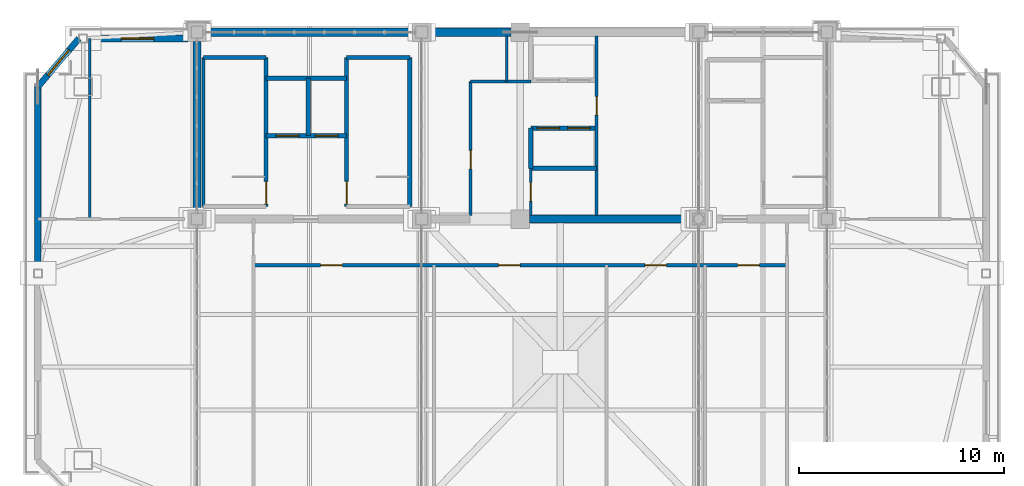
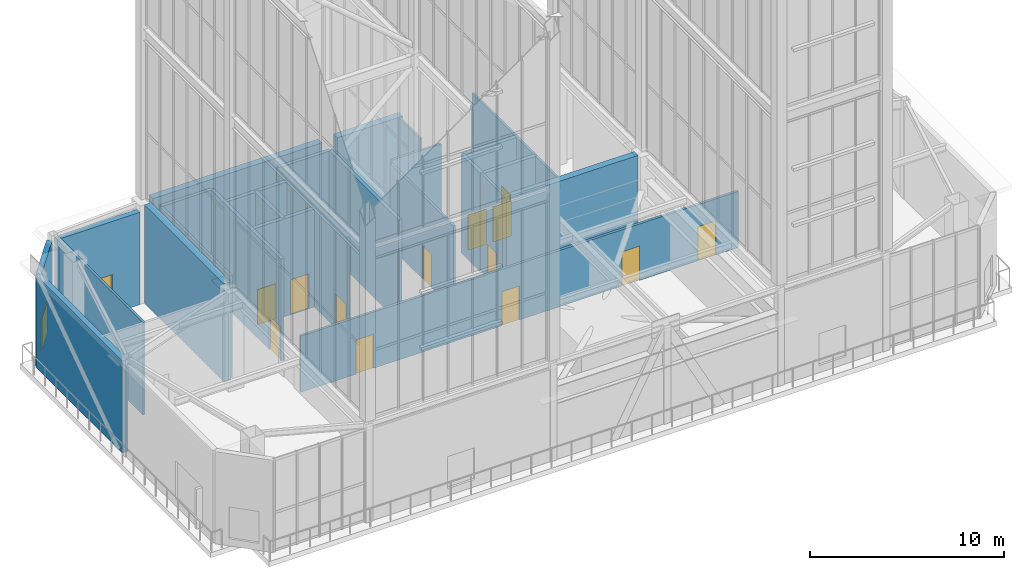
# One storey, part 131 of 135: 26 walls, 13 doors, 2 windows, 15 openings.
"""IFC4 building model written with IfcOpenShell, lengths in metres."""

from ifc_helpers import new_model, si_unit, direction, frame, frame_2d, origin, place, context, subcontext, project, spatial, rectangle, extrude, source, transform, mapped, material, layer, layer_set, type_object, element, fill, save


model = new_model("IFC4")

# Units and contexts
model_context = context("Model", 3, precision=1e-05, world=origin(), true_north=direction((0.0, 1.0)))
body_context = subcontext(model_context, "Body", "Model", "MODEL_VIEW")
ifc_project = project(units=[si_unit("LENGTHUNIT", "METRE"), si_unit("AREAUNIT", "SQUARE_METRE"), si_unit("VOLUMEUNIT", "CUBIC_METRE"), si_unit("PLANEANGLEUNIT", "RADIAN"), si_unit("MASSUNIT", "GRAM", prefix="KILO")], contexts=[model_context])

# Site, building, storey
site_placement = place(None, origin())
site = spatial("IfcSite", under=ifc_project, at=site_placement, CompositionType="ELEMENT")
building_placement = place(site_placement, origin())
building = spatial("IfcBuilding", under=site, at=building_placement, Name="Giltprow Tower", CompositionType="ELEMENT")
storey_placement = place(building_placement, frame((0.0, 0.0, 352.699951171875)))
storey = spatial("IfcBuildingStorey", under=building, at=storey_placement, Name="L92", CompositionType="ELEMENT", Elevation=352.699951171875)

# Wall, opening, window
ifc_material_1 = material(Name="Precast concrete C40", Category="concrete")
ifc_layer_1 = layer(ifc_material_1, 0.300048828125, Name="Precast concrete C40")
ifc_layer_set_1 = layer_set([ifc_layer_1], Name="Precast concrete C40")
wall_type_1 = type_object("IfcWallType", Name="EW-NOTCH-CHAMFER-300", PredefinedType="SOLIDWALL", material=ifc_layer_set_1)
wall_1_placement = place(storey_placement, frame((14.10009765625, 46.25, 0.0), z_axis=(0.0, 0.0, 1.0), x_axis=(-0.648103010114, -0.761552682538, 0.0)))
wall_1 = element("IfcWall", 1, at=wall_1_placement, inside=storey, type_object=wall_type_1, Name="L92 Corner Notch Wall NW", PredefinedType="SOLIDWALL", context=body_context, shape_type="SweptSolid", body=[
    extrude(rectangle(XDim=3.0859375, YDim=0.300048828125, at=frame_2d((1.54296875, 0.0))), origin(), (0.0, 0.0, 1.0), 5.7900390625),
])
opening_1_placement = place(wall_1_placement, frame((0.742919921875, 0.0, 0.449951171875)))
opening_1 = element("IfcOpeningElement", 2, at=opening_1_placement, cuts=wall_1, Name="Opening WN17", PredefinedType="OPENING", context=body_context, shape_type="SweptSolid", body=[
    extrude(rectangle(XDim=1.60009765625, YDim=2.0, at=frame_2d((0.800048828125, 1.0))), frame((0.0, 0.159912109375, 0.0), z_axis=(0.0, -1.0, 0.0), x_axis=(1.0, 0.0, 0.0)), (0.0, 0.0, 1.0), 0.320068359375),
])
ifc_material_2 = material(Name="Insulated glass", Category="glass")
window_type = type_object("IfcWindowType", Name="WN-COR-1600x2000", PartitioningType="SINGLE_PANEL", PredefinedType="WINDOW", material=ifc_material_2)
shared_shape_1 = source(origin(), body_context, "Body", "SweptSolid", [
    extrude(rectangle(XDim=1.60009765625, YDim=2.0, at=frame_2d((0.800048828125, 1.0))), frame((0.0, 0.030029296875, 0.0), z_axis=(0.0, -1.0, 0.0), x_axis=(1.0, 0.0, 0.0)), (0.0, 0.0, 1.0), 0.06005859375),
])
window_1_placement = place(opening_1_placement, origin())
window_1 = element("IfcWindow", 3, at=window_1_placement, inside=storey, type_object=window_type, Name="L92 Corner Notch Window NW", OverallHeight=2.0, OverallWidth=1.60009765625, PartitioningType="SINGLE_PANEL", PredefinedType="WINDOW", context=body_context, shape_type="MappedRepresentation", body=[
    mapped(shared_shape_1, transform((0.0, 0.0, 0.0), x_axis=(1.0, 0.0, 0.0), y_axis=(0.0, 1.0, 0.0), z_axis=(0.0, 0.0, 1.0), scale=1.0)),
])
fill(opening_1, window_1)

# Wall
ifc_layer_2 = layer(ifc_material_1, 0.320068359375, Name="Precast concrete C40")
ifc_layer_set_2 = layer_set([ifc_layer_2], Name="Precast concrete C40")
wall_type_2 = type_object("IfcWallType", Name="EW-TOW-STONE-320", PredefinedType="SOLIDWALL", material=ifc_layer_set_2)
wall_2_placement = place(storey_placement, frame((12.10009765625, 35.0, 0.0), z_axis=(0.0, 0.0, 1.0), x_axis=(0.0, 1.0, 0.0)))
element("IfcWall", 4, at=wall_2_placement, inside=storey, type_object=wall_type_2, Name="L92 W Wing Masonry Wall 2", PredefinedType="SOLIDWALL", context=body_context, shape_type="SweptSolid", body=[
    extrude(rectangle(XDim=8.89990234375, YDim=0.320068359375, at=frame_2d((4.449951171875, 0.0))), origin(), (0.0, 0.0, 1.0), 5.7900390625),
])

# Wall, opening, window
wall_3_placement = place(storey_placement, frame((14.5, 46.25, 0.0), z_axis=(0.0, 0.0, 1.0), x_axis=(1.0, 0.0, 0.0)))
wall_3 = element("IfcWall", 5, at=wall_3_placement, inside=storey, type_object=wall_type_2, Name="L92 North-West Wing Wall", PredefinedType="SOLIDWALL", context=body_context, shape_type="SweptSolid", body=[
    extrude(rectangle(XDim=4.89990234375, YDim=0.320068359375, at=frame_2d((2.449951171875, 0.0))), origin(), (0.0, 0.0, 1.0), 5.7900390625),
])
opening_2_placement = place(wall_3_placement, frame((1.64990234375, 0.0, 0.449951171875)))
opening_2 = element("IfcOpeningElement", 6, at=opening_2_placement, cuts=wall_3, Name="Opening WN17", PredefinedType="OPENING", context=body_context, shape_type="SweptSolid", body=[
    extrude(rectangle(XDim=1.60009765625, YDim=2.0, at=frame_2d((0.800048828125, 1.0))), frame((0.0, 0.169921875, 0.0), z_axis=(0.0, -1.0, 0.0), x_axis=(1.0, 0.0, 0.0)), (0.0, 0.0, 1.0), 0.340087890625),
])
window_2_placement = place(opening_2_placement, origin())
window_2 = element("IfcWindow", 7, at=window_2_placement, inside=storey, type_object=window_type, Name="L92 North-West Window", OverallHeight=2.0, OverallWidth=1.60009765625, PartitioningType="SINGLE_PANEL", PredefinedType="WINDOW", context=body_context, shape_type="MappedRepresentation", body=[
    mapped(shared_shape_1, transform((0.0, 0.0, 0.0), x_axis=(1.0, 0.0, 0.0), y_axis=(0.0, 1.0, 0.0), z_axis=(0.0, 0.0, 1.0), scale=1.0)),
])
fill(opening_2, window_2)

# Wall, openings, doors
ifc_material_3 = material(Name="Gypsum stud partition", Category="gypsum")
ifc_layer_3 = layer(ifc_material_3, 0.14990234375, Name="Gypsum stud partition")
ifc_layer_set_3 = layer_set([ifc_layer_3], Name="Gypsum stud partition")
wall_type_3 = type_object("IfcWallType", Name="IW-CORR-150", PredefinedType="PARTITIONING", material=ifc_layer_set_3)
wall_4_placement = place(storey_placement, frame((22.60009765625, 35.199951171875, 0.0), z_axis=(0.0, 0.0, 1.0), x_axis=(1.0, 0.0, 0.0)))
wall_4 = element("IfcWall", 8, at=wall_4_placement, inside=storey, type_object=wall_type_3, Name="L92 Observatory Promenade Wall", PredefinedType="PARTITIONING", context=body_context, shape_type="SweptSolid", body=[
    extrude(rectangle(XDim=26.0, YDim=0.14990234375, at=frame_2d((13.0, 0.0))), origin(), (0.0, 0.0, 1.0), 3.53515625),
])
opening_3_placement = place(wall_4_placement, frame((3.280029296875, 0.0, 0.0)))
opening_3 = element("IfcOpeningElement", 9, at=opening_3_placement, cuts=wall_4, Name="Opening ID31", PredefinedType="OPENING", context=body_context, shape_type="SweptSolid", body=[
    extrude(rectangle(XDim=1.050048828125, YDim=2.14990234375, at=frame_2d((0.52490234375, 1.074951171875))), frame((0.0, 0.0849609375, 0.0), z_axis=(0.0, -1.0, 0.0), x_axis=(1.0, 0.0, 0.0)), (0.0, 0.0, 1.0), 0.169921875),
])
opening_4_placement = place(wall_4_placement, frame((11.93994140625, 0.0, 0.0)))
opening_4 = element("IfcOpeningElement", 10, at=opening_4_placement, cuts=wall_4, Name="Opening ID31", PredefinedType="OPENING", context=body_context, shape_type="SweptSolid", body=[
    extrude(rectangle(XDim=1.050048828125, YDim=2.14990234375, at=frame_2d((0.52490234375, 1.074951171875))), frame((0.0, 0.0849609375, 0.0), z_axis=(0.0, -1.0, 0.0), x_axis=(1.0, 0.0, 0.0)), (0.0, 0.0, 1.0), 0.169921875),
])
opening_5_placement = place(wall_4_placement, frame((19.080078125, 0.0, 0.0)))
opening_5 = element("IfcOpeningElement", 11, at=opening_5_placement, cuts=wall_4, Name="Opening ID31", PredefinedType="OPENING", context=body_context, shape_type="SweptSolid", body=[
    extrude(rectangle(XDim=1.050048828125, YDim=2.14990234375, at=frame_2d((0.52490234375, 1.074951171875))), frame((0.0, 0.0849609375, 0.0), z_axis=(0.0, -1.0, 0.0), x_axis=(1.0, 0.0, 0.0)), (0.0, 0.0, 1.0), 0.169921875),
])
opening_6_placement = place(wall_4_placement, frame((23.60009765625, 0.0, 0.0)))
opening_6 = element("IfcOpeningElement", 12, at=opening_6_placement, cuts=wall_4, Name="Opening ID31", PredefinedType="OPENING", context=body_context, shape_type="SweptSolid", body=[
    extrude(rectangle(XDim=1.050048828125, YDim=2.14990234375, at=frame_2d((0.52490234375, 1.074951171875))), frame((0.0, 0.0849609375, 0.0), z_axis=(0.0, -1.0, 0.0), x_axis=(1.0, 0.0, 0.0)), (0.0, 0.0, 1.0), 0.169921875),
])
ifc_material_4 = material(Name="Engineered timber", Category="wood")
door_type_1 = type_object("IfcDoorType", Name="DR-SUITE-1050", OperationType="SINGLE_SWING_LEFT", PredefinedType="DOOR", material=ifc_material_4)
shared_shape_2 = source(origin(), body_context, "Body", "SweptSolid", [
    extrude(rectangle(XDim=1.050048828125, YDim=2.14990234375, at=frame_2d((0.52490234375, 1.074951171875))), frame((0.0, 0.02490234375, 0.0), z_axis=(0.0, -1.0, 0.0), x_axis=(1.0, 0.0, 0.0)), (0.0, 0.0, 1.0), 0.050048828125),
])
door_1_placement = place(opening_3_placement, origin())
door_1 = element("IfcDoor", 13, at=door_1_placement, inside=storey, type_object=door_type_1, Name="L92 Sky Observatory South Lounge Door", OperationType="SINGLE_SWING_LEFT", OverallHeight=2.14990234375, OverallWidth=1.050048828125, PredefinedType="DOOR", context=body_context, shape_type="MappedRepresentation", body=[
    mapped(shared_shape_2, transform((0.0, 0.0, 0.0), x_axis=(1.0, 0.0, 0.0), y_axis=(0.0, 1.0, 0.0), z_axis=(0.0, 0.0, 1.0), scale=1.0)),
])
fill(opening_3, door_1)
door_2_placement = place(opening_4_placement, origin())
door_2 = element("IfcDoor", 14, at=door_2_placement, inside=storey, type_object=door_type_1, Name="L92 Wind Damper Exhibition Meeting Room Door", OperationType="SINGLE_SWING_RIGHT", OverallHeight=2.14990234375, OverallWidth=1.050048828125, PredefinedType="DOOR", context=body_context, shape_type="MappedRepresentation", body=[
    mapped(shared_shape_2, transform((0.0, 0.0, 0.0), x_axis=(1.0, 0.0, 0.0), y_axis=(0.0, 1.0, 0.0), z_axis=(0.0, 0.0, 1.0), scale=1.0)),
])
fill(opening_4, door_2)
door_3_placement = place(opening_5_placement, origin())
door_3 = element("IfcDoor", 15, at=door_3_placement, inside=storey, type_object=door_type_1, Name="L92 High-Altitude Tea Kitchen Door", OperationType="SINGLE_SWING_LEFT", OverallHeight=2.14990234375, OverallWidth=1.050048828125, PredefinedType="DOOR", context=body_context, shape_type="MappedRepresentation", body=[
    mapped(shared_shape_2, transform((0.0, 0.0, 0.0), x_axis=(1.0, 0.0, 0.0), y_axis=(0.0, 1.0, 0.0), z_axis=(0.0, 0.0, 1.0), scale=1.0)),
])
fill(opening_5, door_3)
door_4_placement = place(opening_6_placement, origin())
door_4 = element("IfcDoor", 16, at=door_4_placement, inside=storey, type_object=door_type_1, Name="L92 Observatory Souvenir Shop Door", OperationType="SINGLE_SWING_RIGHT", OverallHeight=2.14990234375, OverallWidth=1.050048828125, PredefinedType="DOOR", context=body_context, shape_type="MappedRepresentation", body=[
    mapped(shared_shape_2, transform((0.0, 0.0, 0.0), x_axis=(1.0, 0.0, 0.0), y_axis=(0.0, 1.0, 0.0), z_axis=(0.0, 0.0, 1.0), scale=1.0)),
])
fill(opening_6, door_4)

ifc_material_5 = material(Name="Concrete C40", Category="concrete")
ifc_layer_4 = layer(ifc_material_5, 0.219970703125, Name="Concrete C40")
ifc_layer_set_4 = layer_set([ifc_layer_4], Name="Concrete C40")
wall_type_4 = type_object("IfcWallType", Name="IW-SHAFT-220", PredefinedType="SOLIDWALL", material=ifc_layer_set_4)
wall_5_placement = place(storey_placement, frame((23.219970703125, 41.52001953125, 0.0), z_axis=(0.0, 0.0, 1.0), x_axis=(1.0, 0.0, 0.0)))
wall_5 = element("IfcWall", 17, at=wall_5_placement, inside=storey, type_object=wall_type_4, Name="L92 FFL1 and Service Lift Front Wall", PredefinedType="SOLIDWALL", context=body_context, shape_type="SweptSolid", body=[
    extrude(rectangle(XDim=3.919921875, YDim=0.219970703125, at=frame_2d((1.9599609375, 0.0))), origin(), (0.0, 0.0, 1.0), 6.16015625),
])
opening_7_placement = place(wall_5_placement, frame((0.5, 0.0, 0.0)))
opening_7 = element("IfcOpeningElement", 18, at=opening_7_placement, cuts=wall_5, Name="Opening LD-11", PredefinedType="OPENING", context=body_context, shape_type="SweptSolid", body=[
    extrude(rectangle(XDim=1.10009765625, YDim=2.199951171875, at=frame_2d((0.550048828125, 1.10009765625))), frame((0.0, 0.119873046875, 0.0), z_axis=(0.0, -1.0, 0.0), x_axis=(1.0, 0.0, 0.0)), (0.0, 0.0, 1.0), 0.239990234375),
])
opening_8_placement = place(wall_5_placement, frame((2.39990234375, 0.0, 0.0)))
opening_8 = element("IfcOpeningElement", 19, at=opening_8_placement, cuts=wall_5, Name="Opening LD-11", PredefinedType="OPENING", context=body_context, shape_type="SweptSolid", body=[
    extrude(rectangle(XDim=1.10009765625, YDim=2.199951171875, at=frame_2d((0.550048828125, 1.10009765625))), frame((0.0, 0.119873046875, 0.0), z_axis=(0.0, -1.0, 0.0), x_axis=(1.0, 0.0, 0.0)), (0.0, 0.0, 1.0), 0.239990234375),
])
ifc_material_6 = material(Name="Stainless steel", Category="steel")
door_type_2 = type_object("IfcDoorType", Name="DR-LIFT-LD1100", OperationType="SLIDING_TO_LEFT", PredefinedType="DOOR", material=ifc_material_6)
shared_shape_3 = source(origin(), body_context, "Body", "SweptSolid", [
    extrude(rectangle(XDim=1.10009765625, YDim=2.199951171875, at=frame_2d((0.550048828125, 1.10009765625))), frame((0.0, 0.02490234375, 0.0), z_axis=(0.0, -1.0, 0.0), x_axis=(1.0, 0.0, 0.0)), (0.0, 0.0, 1.0), 0.050048828125),
])
door_5_placement = place(opening_7_placement, origin())
door_5 = element("IfcDoor", 20, at=door_5_placement, inside=storey, type_object=door_type_2, Name="L92 FFL1 Landing Door", OperationType="SLIDING_TO_LEFT", OverallHeight=2.199951171875, OverallWidth=1.10009765625, PredefinedType="DOOR", context=body_context, shape_type="MappedRepresentation", body=[
    mapped(shared_shape_3, transform((0.0, 0.0, 0.0), x_axis=(1.0, 0.0, 0.0), y_axis=(0.0, 1.0, 0.0), z_axis=(0.0, 0.0, 1.0), scale=1.0)),
])
fill(opening_7, door_5)
door_6_placement = place(opening_8_placement, origin())
door_6 = element("IfcDoor", 21, at=door_6_placement, inside=storey, type_object=door_type_2, Name="L92 SVL1 Landing Door", OperationType="SLIDING_TO_LEFT", OverallHeight=2.199951171875, OverallWidth=1.10009765625, PredefinedType="DOOR", context=body_context, shape_type="MappedRepresentation", body=[
    mapped(shared_shape_3, transform((0.0, 0.0, 0.0), x_axis=(1.0, 0.0, 0.0), y_axis=(0.0, 1.0, 0.0), z_axis=(0.0, 0.0, 1.0), scale=1.0)),
])
fill(opening_8, door_6)

# Walls
wall_6_placement = place(storey_placement, frame((25.260009765625, 41.52001953125, 0.0), z_axis=(0.0, 0.0, 1.0), x_axis=(0.0, 1.0, 0.0)))
element("IfcWall", 22, at=wall_6_placement, inside=storey, type_object=wall_type_4, Name="L92 FFL1-SVL1 Shaft Divider", PredefinedType="SOLIDWALL", context=body_context, shape_type="SweptSolid", body=[
    extrude(rectangle(XDim=2.800048828125, YDim=0.219970703125, at=frame_2d((1.39990234375, 0.0))), origin(), (0.0, 0.0, 1.0), 6.16015625),
])
wall_7_placement = place(storey_placement, frame((23.219970703125, 44.320068359375, 0.0), z_axis=(0.0, 0.0, 1.0), x_axis=(1.0, 0.0, 0.0)))
element("IfcWall", 23, at=wall_7_placement, inside=storey, type_object=wall_type_4, Name="L92 FFL1-SVL1 Back Shaft Wall", PredefinedType="SOLIDWALL", context=body_context, shape_type="SweptSolid", body=[
    extrude(rectangle(XDim=3.919921875, YDim=0.219970703125, at=frame_2d((1.9599609375, 0.0))), origin(), (0.0, 0.0, 1.0), 6.16015625),
])

# Wall, openings, doors
wall_8_placement = place(storey_placement, frame((36.1201171875, 41.8798828125, 0.0), z_axis=(0.0, 0.0, 1.0), x_axis=(1.0, 0.0, 0.0)))
wall_8 = element("IfcWall", 24, at=wall_8_placement, inside=storey, type_object=wall_type_4, Name="L92 High-Rise Lift Shaft Front Wall S", PredefinedType="SOLIDWALL", context=body_context, shape_type="SweptSolid", body=[
    extrude(rectangle(XDim=3.199951171875, YDim=0.219970703125, at=frame_2d((1.60009765625, 0.0))), origin(), (0.0, 0.0, 1.0), 6.16015625),
])
opening_9_placement = place(wall_8_placement, frame((0.300048828125, 0.0, 0.0)))
opening_9 = element("IfcOpeningElement", 25, at=opening_9_placement, cuts=wall_8, Name="Opening LD-11", PredefinedType="OPENING", context=body_context, shape_type="SweptSolid", body=[
    extrude(rectangle(XDim=1.10009765625, YDim=2.199951171875, at=frame_2d((0.550048828125, 1.10009765625))), frame((0.0, 0.119873046875, 0.0), z_axis=(0.0, -1.0, 0.0), x_axis=(1.0, 0.0, 0.0)), (0.0, 0.0, 1.0), 0.239990234375),
])
opening_10_placement = place(wall_8_placement, frame((1.7900390625, 0.0, 0.0)))
opening_10 = element("IfcOpeningElement", 26, at=opening_10_placement, cuts=wall_8, Name="Opening LD-11", PredefinedType="OPENING", context=body_context, shape_type="SweptSolid", body=[
    extrude(rectangle(XDim=1.10009765625, YDim=2.199951171875, at=frame_2d((0.550048828125, 1.10009765625))), frame((0.0, 0.119873046875, 0.0), z_axis=(0.0, -1.0, 0.0), x_axis=(1.0, 0.0, 0.0)), (0.0, 0.0, 1.0), 0.239990234375),
])
door_7_placement = place(opening_9_placement, origin())
door_7 = element("IfcDoor", 27, at=door_7_placement, inside=storey, type_object=door_type_2, Name="L92 PL-H3 Landing Door", OperationType="SLIDING_TO_LEFT", OverallHeight=2.199951171875, OverallWidth=1.10009765625, PredefinedType="DOOR", context=body_context, shape_type="MappedRepresentation", body=[
    mapped(shared_shape_3, transform((0.0, 0.0, 0.0), x_axis=(1.0, 0.0, 0.0), y_axis=(0.0, 1.0, 0.0), z_axis=(0.0, 0.0, 1.0), scale=1.0)),
])
fill(opening_9, door_7)
door_8_placement = place(opening_10_placement, origin())
door_8 = element("IfcDoor", 28, at=door_8_placement, inside=storey, type_object=door_type_2, Name="L92 PL-H4 Landing Door", OperationType="SLIDING_TO_LEFT", OverallHeight=2.199951171875, OverallWidth=1.10009765625, PredefinedType="DOOR", context=body_context, shape_type="MappedRepresentation", body=[
    mapped(shared_shape_3, transform((0.0, 0.0, 0.0), x_axis=(1.0, 0.0, 0.0), y_axis=(0.0, 1.0, 0.0), z_axis=(0.0, 0.0, 1.0), scale=1.0)),
])
fill(opening_10, door_8)

# Walls
wall_9_placement = place(storey_placement, frame((36.1201171875, 39.919921875, 0.0), z_axis=(0.0, 0.0, 1.0), x_axis=(1.0, 0.0, 0.0)))
element("IfcWall", 29, at=wall_9_placement, inside=storey, type_object=wall_type_4, Name="L92 High-Rise South Lift Back Wall", PredefinedType="SOLIDWALL", context=body_context, shape_type="SweptSolid", body=[
    extrude(rectangle(XDim=3.199951171875, YDim=0.219970703125, at=frame_2d((1.60009765625, 0.0))), origin(), (0.0, 0.0, 1.0), 6.16015625),
])
wall_10_placement = place(storey_placement, frame((36.1201171875, 39.919921875, 0.0), z_axis=(0.0, 0.0, 1.0), x_axis=(0.0, 1.0, 0.0)))
element("IfcWall", 30, at=wall_10_placement, inside=storey, type_object=wall_type_4, Name="L92 High-Rise South Lift West Closure", PredefinedType="SOLIDWALL", context=body_context, shape_type="SweptSolid", body=[
    extrude(rectangle(XDim=1.9599609375, YDim=0.219970703125, at=frame_2d((0.97998046875, 0.0))), origin(), (0.0, 0.0, 1.0), 6.16015625),
])
ifc_material_7 = material(Name="Concrete C45", Category="concrete")
ifc_layer_5 = layer(ifc_material_7, 0.139892578125, Name="Concrete C45")
ifc_layer_set_5 = layer_set([ifc_layer_5], Name="Concrete C45")
wall_type_5 = type_object("IfcWallType", Name="IW-STAIR-140", PredefinedType="SOLIDWALL", material=ifc_layer_set_5)
wall_11_placement = place(storey_placement, frame((20.169921875, 38.070068359375, 0.0), z_axis=(0.0, 0.0, 1.0), x_axis=(0.0, 1.0, 0.0)))
element("IfcWall", 31, at=wall_11_placement, inside=storey, type_object=wall_type_5, Name="L92 Stair ST-1 West Bearing Wall", PredefinedType="SOLIDWALL", context=body_context, shape_type="SweptSolid", body=[
    extrude(rectangle(XDim=7.25, YDim=0.139892578125, at=frame_2d((3.625, 0.0))), origin(), (0.0, 0.0, 1.0), 6.400146484375),
])

# Wall, opening, door
ifc_layer_6 = layer(ifc_material_5, 0.199951171875, Name="Concrete C40")
ifc_layer_set_6 = layer_set([ifc_layer_6], Name="Concrete C40")
wall_type_6 = type_object("IfcWallType", Name="IW-STAIR-200", PredefinedType="SOLIDWALL", material=ifc_layer_set_6)
wall_12_placement = place(storey_placement, frame((23.219970703125, 38.070068359375, 0.0), z_axis=(0.0, 0.0, 1.0), x_axis=(0.0, 1.0, 0.0)))
wall_12 = element("IfcWall", 32, at=wall_12_placement, inside=storey, type_object=wall_type_6, Name="L92 Stair ST-1 East Bearing Wall", PredefinedType="SOLIDWALL", context=body_context, shape_type="SweptSolid", body=[
    extrude(rectangle(XDim=7.25, YDim=0.199951171875, at=frame_2d((3.625, 0.0))), origin(), (0.0, 0.0, 1.0), 6.400146484375),
])
opening_11_placement = place(wall_12_placement, frame((0.110107421875, 0.0, 0.0)))
opening_11 = element("IfcOpeningElement", 33, at=opening_11_placement, cuts=wall_12, Name="Opening ID33", PredefinedType="OPENING", context=body_context, shape_type="SweptSolid", body=[
    extrude(rectangle(XDim=1.10009765625, YDim=2.14990234375, at=frame_2d((0.550048828125, 1.074951171875))), frame((0.0, 0.10986328125, 0.0), z_axis=(0.0, -1.0, 0.0), x_axis=(1.0, 0.0, 0.0)), (0.0, 0.0, 1.0), 0.219970703125),
])
ifc_material_8 = material(Name="Steel fire leaf", Category="steel")
door_type_3 = type_object("IfcDoorType", Name="DR-STAIR-1100", OperationType="SINGLE_SWING_LEFT", PredefinedType="DOOR", material=ifc_material_8)
shared_shape_4 = source(origin(), body_context, "Body", "SweptSolid", [
    extrude(rectangle(XDim=1.10009765625, YDim=2.14990234375, at=frame_2d((0.550048828125, 1.074951171875))), frame((0.0, 0.02490234375, 0.0), z_axis=(0.0, -1.0, 0.0), x_axis=(1.0, 0.0, 0.0)), (0.0, 0.0, 1.0), 0.050048828125),
])
door_9_placement = place(opening_11_placement, origin())
door_9 = element("IfcDoor", 34, at=door_9_placement, inside=storey, type_object=door_type_3, Name="L92 Stair ST-1 Fire Door", OperationType="SINGLE_SWING_LEFT", OverallHeight=2.14990234375, OverallWidth=1.10009765625, PredefinedType="DOOR", context=body_context, shape_type="MappedRepresentation", body=[
    mapped(shared_shape_4, transform((0.0, 0.0, 0.0), x_axis=(1.0, 0.0, 0.0), y_axis=(0.0, 1.0, 0.0), z_axis=(0.0, 0.0, 1.0), scale=1.0)),
])
fill(opening_11, door_9)

# Wall
wall_13_placement = place(storey_placement, frame((20.169921875, 45.320068359375, 0.0), z_axis=(0.0, 0.0, 1.0), x_axis=(1.0, 0.0, 0.0)))
element("IfcWall", 35, at=wall_13_placement, inside=storey, type_object=wall_type_6, Name="L92 Stair ST-1 North Bearing Wall", PredefinedType="SOLIDWALL", context=body_context, shape_type="SweptSolid", body=[
    extrude(rectangle(XDim=3.050048828125, YDim=0.199951171875, at=frame_2d((1.52490234375, 0.0))), origin(), (0.0, 0.0, 1.0), 6.400146484375),
])

# Wall, opening, door
wall_14_placement = place(storey_placement, frame((27.139892578125, 38.070068359375, 0.0), z_axis=(0.0, 0.0, 1.0), x_axis=(0.0, 1.0, 0.0)))
wall_14 = element("IfcWall", 36, at=wall_14_placement, inside=storey, type_object=wall_type_6, Name="L92 Stair ST-2 West Bearing Wall", PredefinedType="SOLIDWALL", context=body_context, shape_type="SweptSolid", body=[
    extrude(rectangle(XDim=7.25, YDim=0.199951171875, at=frame_2d((3.625, 0.0))), origin(), (0.0, 0.0, 1.0), 6.400146484375),
])
opening_12_placement = place(wall_14_placement, frame((0.110107421875, 0.0, 0.0)))
opening_12 = element("IfcOpeningElement", 37, at=opening_12_placement, cuts=wall_14, Name="Opening ID33", PredefinedType="OPENING", context=body_context, shape_type="SweptSolid", body=[
    extrude(rectangle(XDim=1.10009765625, YDim=2.14990234375, at=frame_2d((0.550048828125, 1.074951171875))), frame((0.0, 0.10986328125, 0.0), z_axis=(0.0, -1.0, 0.0), x_axis=(1.0, 0.0, 0.0)), (0.0, 0.0, 1.0), 0.219970703125),
])
door_10_placement = place(opening_12_placement, origin())
door_10 = element("IfcDoor", 38, at=door_10_placement, inside=storey, type_object=door_type_3, Name="L92 Stair ST-2 Fire Door", OperationType="SINGLE_SWING_RIGHT", OverallHeight=2.14990234375, OverallWidth=1.10009765625, PredefinedType="DOOR", context=body_context, shape_type="MappedRepresentation", body=[
    mapped(shared_shape_4, transform((0.0, 0.0, 0.0), x_axis=(1.0, 0.0, 0.0), y_axis=(0.0, 1.0, 0.0), z_axis=(0.0, 0.0, 1.0), scale=1.0)),
])
fill(opening_12, door_10)

# Walls
wall_15_placement = place(storey_placement, frame((30.219970703125, 38.070068359375, 0.0), z_axis=(0.0, 0.0, 1.0), x_axis=(0.0, 1.0, 0.0)))
element("IfcWall", 39, at=wall_15_placement, inside=storey, type_object=wall_type_6, Name="L92 Stair ST-2 East Bearing Wall", PredefinedType="SOLIDWALL", context=body_context, shape_type="SweptSolid", body=[
    extrude(rectangle(XDim=7.25, YDim=0.199951171875, at=frame_2d((3.625, 0.0))), origin(), (0.0, 0.0, 1.0), 6.400146484375),
])
wall_16_placement = place(storey_placement, frame((27.139892578125, 45.320068359375, 0.0), z_axis=(0.0, 0.0, 1.0), x_axis=(1.0, 0.0, 0.0)))
element("IfcWall", 40, at=wall_16_placement, inside=storey, type_object=wall_type_6, Name="L92 Stair ST-2 North Bearing Wall", PredefinedType="SOLIDWALL", context=body_context, shape_type="SweptSolid", body=[
    extrude(rectangle(XDim=3.080078125, YDim=0.199951171875, at=frame_2d((1.5400390625, 0.0))), origin(), (0.0, 0.0, 1.0), 6.400146484375),
])

# Wall, opening, door
ifc_material_9 = material(Name="Concrete C30", Category="concrete")
ifc_layer_7 = layer(ifc_material_9, 0.1298828125, Name="Concrete C30")
ifc_layer_set_7 = layer_set([ifc_layer_7], Name="Concrete C30")
wall_type_7 = type_object("IfcWallType", Name="IW-WET-130", PredefinedType="PARTITIONING", material=ifc_layer_set_7)
wall_17_placement = place(storey_placement, frame((36.1201171875, 37.6298828125, 0.0), z_axis=(0.0, 0.0, 1.0), x_axis=(0.0, 1.0, 0.0)))
wall_17 = element("IfcWall", 41, at=wall_17_placement, inside=storey, type_object=wall_type_7, Name="L92 Core Electrical Riser West Wall", PredefinedType="PARTITIONING", context=body_context, shape_type="SweptSolid", body=[
    extrude(rectangle(XDim=2.2900390625, YDim=0.1298828125, at=frame_2d((1.14501953125, 0.0))), origin(), (0.0, 0.0, 1.0), 6.16015625),
])
opening_13_placement = place(wall_17_placement, frame((0.68994140625, 0.0, 0.0)))
opening_13 = element("IfcOpeningElement", 42, at=opening_13_placement, cuts=wall_17, Name="Opening ID35", PredefinedType="OPENING", context=body_context, shape_type="SweptSolid", body=[
    extrude(rectangle(XDim=0.89990234375, YDim=2.10009765625, at=frame_2d((0.449951171875, 1.050048828125))), frame((0.0, 0.074951171875, 0.0), z_axis=(0.0, -1.0, 0.0), x_axis=(1.0, 0.0, 0.0)), (0.0, 0.0, 1.0), 0.14990234375),
])
door_type_4 = type_object("IfcDoorType", Name="DR-SHAFT-900", OperationType="SINGLE_SWING_LEFT", PredefinedType="DOOR", material=ifc_material_8)
shared_shape_5 = source(origin(), body_context, "Body", "SweptSolid", [
    extrude(rectangle(XDim=0.89990234375, YDim=2.10009765625, at=frame_2d((0.449951171875, 1.050048828125))), frame((0.0, 0.02490234375, 0.0), z_axis=(0.0, -1.0, 0.0), x_axis=(1.0, 0.0, 0.0)), (0.0, 0.0, 1.0), 0.050048828125),
])
door_11_placement = place(opening_13_placement, origin())
door_11 = element("IfcDoor", 43, at=door_11_placement, inside=storey, type_object=door_type_4, Name="L92 Core Electrical Riser Door", OperationType="SINGLE_SWING_RIGHT", OverallHeight=2.10009765625, OverallWidth=0.89990234375, PredefinedType="DOOR", context=body_context, shape_type="MappedRepresentation", body=[
    mapped(shared_shape_5, transform((0.0, 0.0, 0.0), x_axis=(1.0, 0.0, 0.0), y_axis=(0.0, 1.0, 0.0), z_axis=(0.0, 0.0, 1.0), scale=1.0)),
])
fill(opening_13, door_11)

wall_18_placement = place(storey_placement, frame((33.179931640625, 37.6298828125, 0.0), z_axis=(0.0, 0.0, 1.0), x_axis=(0.0, 1.0, 0.0)))
wall_18 = element("IfcWall", 44, at=wall_18_placement, inside=storey, type_object=wall_type_7, Name="L92 Reclaimed West Core Wall", PredefinedType="PARTITIONING", context=body_context, shape_type="SweptSolid", body=[
    extrude(rectangle(XDim=6.52001953125, YDim=0.1298828125, at=frame_2d((3.260009765625, 0.0))), origin(), (0.0, 0.0, 1.0), 5.2451171875),
])
opening_14_placement = place(wall_18_placement, frame((2.27001953125, 0.0, 0.0)))
opening_14 = element("IfcOpeningElement", 45, at=opening_14_placement, cuts=wall_18, Name="Opening ID35", PredefinedType="OPENING", context=body_context, shape_type="SweptSolid", body=[
    extrude(rectangle(XDim=0.89990234375, YDim=2.10009765625, at=frame_2d((0.449951171875, 1.050048828125))), frame((0.0, 0.074951171875, 0.0), z_axis=(0.0, -1.0, 0.0), x_axis=(1.0, 0.0, 0.0)), (0.0, 0.0, 1.0), 0.14990234375),
])
door_12_placement = place(opening_14_placement, origin())
door_12 = element("IfcDoor", 46, at=door_12_placement, inside=storey, type_object=door_type_4, Name="L92 Core Accessible Washroom Door", OperationType="SINGLE_SWING_LEFT", OverallHeight=2.10009765625, OverallWidth=0.89990234375, PredefinedType="DOOR", context=body_context, shape_type="MappedRepresentation", body=[
    mapped(shared_shape_5, transform((0.0, 0.0, 0.0), x_axis=(1.0, 0.0, 0.0), y_axis=(0.0, 1.0, 0.0), z_axis=(0.0, 0.0, 1.0), scale=1.0)),
])
fill(opening_14, door_12)

# Walls
wall_19_placement = place(storey_placement, frame((34.949951171875, 44.14990234375, 0.0), z_axis=(0.0, 0.0, 1.0), x_axis=(0.0, 1.0, 0.0)))
element("IfcWall", 47, at=wall_19_placement, inside=storey, type_object=wall_type_7, Name="L92 Reclaimed West Pocket Wall E", PredefinedType="PARTITIONING", context=body_context, shape_type="SweptSolid", body=[
    extrude(rectangle(XDim=2.22021484375, YDim=0.1298828125, at=frame_2d((1.110107421875, 0.0))), origin(), (0.0, 0.0, 1.0), 6.16015625),
])
wall_20_placement = place(storey_placement, frame((33.179931640625, 44.14990234375, 0.0), z_axis=(0.0, 0.0, 1.0), x_axis=(1.0, 0.0, 0.0)))
element("IfcWall", 48, at=wall_20_placement, inside=storey, type_object=wall_type_7, Name="L92 Reclaimed West Pocket Wall S", PredefinedType="PARTITIONING", context=body_context, shape_type="SweptSolid", body=[
    extrude(rectangle(XDim=2.940185546875, YDim=0.1298828125, at=frame_2d((1.47021484375, 0.0))), origin(), (0.0, 0.0, 1.0), 5.445068359375),
])

# Wall, opening, door
wall_21_placement = place(storey_placement, frame((39.320068359375, 37.6298828125, 0.0), z_axis=(0.0, 0.0, 1.0), x_axis=(0.0, 1.0, 0.0)))
wall_21 = element("IfcWall", 49, at=wall_21_placement, inside=storey, type_object=wall_type_7, Name="L92 Reclaimed East Core Wall", PredefinedType="PARTITIONING", context=body_context, shape_type="SweptSolid", body=[
    extrude(rectangle(XDim=8.740234375, YDim=0.1298828125, at=frame_2d((4.3701171875, 0.0))), origin(), (0.0, 0.0, 1.0), 6.16015625),
])
opening_15_placement = place(wall_21_placement, frame((4.889892578125, 0.0, 0.0)))
opening_15 = element("IfcOpeningElement", 50, at=opening_15_placement, cuts=wall_21, Name="Opening ID35", PredefinedType="OPENING", context=body_context, shape_type="SweptSolid", body=[
    extrude(rectangle(XDim=0.89990234375, YDim=2.10009765625, at=frame_2d((0.449951171875, 1.050048828125))), frame((0.0, 0.074951171875, 0.0), z_axis=(0.0, -1.0, 0.0), x_axis=(1.0, 0.0, 0.0)), (0.0, 0.0, 1.0), 0.14990234375),
])
door_13_placement = place(opening_15_placement, origin())
door_13 = element("IfcDoor", 51, at=door_13_placement, inside=storey, type_object=door_type_4, Name="L92 Core Concierge Parcel Store Door", OperationType="SINGLE_SWING_RIGHT", OverallHeight=2.10009765625, OverallWidth=0.89990234375, PredefinedType="DOOR", context=body_context, shape_type="MappedRepresentation", body=[
    mapped(shared_shape_5, transform((0.0, 0.0, 0.0), x_axis=(1.0, 0.0, 0.0), y_axis=(0.0, 1.0, 0.0), z_axis=(0.0, 0.0, 1.0), scale=1.0)),
])
fill(opening_15, door_13)

# Walls
wall_22_placement = place(storey_placement, frame((14.62890625, 37.449951171875, 0.0), z_axis=(0.0, 0.0, 1.0), x_axis=(0.0, 1.0, 0.0)))
element("IfcWall", 52, at=wall_22_placement, inside=storey, type_object=wall_type_7, Name="L92 NW Wing Divider", PredefinedType="PARTITIONING", context=body_context, shape_type="SweptSolid", body=[
    extrude(rectangle(XDim=8.800048828125, YDim=0.1298828125, at=frame_2d((4.39990234375, 0.0))), origin(), (0.0, 0.0, 1.0), 5.795166015625),
])
ifc_layer_8 = layer(ifc_material_7, 0.39990234375, Name="Concrete C45")
ifc_layer_set_8 = layer_set([ifc_layer_8], Name="Concrete C45")
wall_type_8 = type_object("IfcWallType", Name="SW-EXT-400-C45", PredefinedType="SHEAR", material=ifc_layer_set_8)
wall_23_placement = place(storey_placement, frame((20.300048828125, 46.550048828125, 0.0), z_axis=(0.0, 0.0, 1.0), x_axis=(1.0, 0.0, 0.0)))
element("IfcWall", 53, at=wall_23_placement, inside=storey, type_object=wall_type_8, Name="L92 North Rear Core Shear Wall 1", PredefinedType="SHEAR", context=body_context, shape_type="SweptSolid", body=[
    extrude(rectangle(XDim=10.050048828125, YDim=0.39990234375, at=frame_2d((5.02490234375, 0.0))), origin(), (0.0, 0.0, 1.0), 6.16015625),
])
wall_24_placement = place(storey_placement, frame((31.25, 46.550048828125, 0.0), z_axis=(0.0, 0.0, 1.0), x_axis=(1.0, 0.0, 0.0)))
element("IfcWall", 54, at=wall_24_placement, inside=storey, type_object=wall_type_8, Name="L92 North Rear Core Shear Wall 2", PredefinedType="SHEAR", context=body_context, shape_type="SweptSolid", body=[
    extrude(rectangle(XDim=3.89990234375, YDim=0.39990234375, at=frame_2d((1.949951171875, 0.0))), origin(), (0.0, 0.0, 1.0), 6.16015625),
])
ifc_layer_9 = layer(ifc_material_7, 0.39990234375, Name="Concrete C45")
ifc_layer_set_9 = layer_set([ifc_layer_9], Name="Concrete C45")
wall_type_9 = type_object("IfcWallType", Name="SW-INT-400-C45", PredefinedType="SHEAR", material=ifc_layer_set_9)
wall_25_placement = place(storey_placement, frame((36.050048828125, 37.449951171875, 0.0), z_axis=(0.0, 0.0, 1.0), x_axis=(1.0, 0.0, 0.0)))
element("IfcWall", 55, at=wall_25_placement, inside=storey, type_object=wall_type_9, Name="L92 South Rear Core Shear Wall Mid-East", PredefinedType="SHEAR", context=body_context, shape_type="SweptSolid", body=[
    extrude(rectangle(XDim=7.800048828125, YDim=0.39990234375, at=frame_2d((3.89990234375, 0.0))), origin(), (0.0, 0.0, 1.0), 6.16015625),
])
wall_26_placement = place(storey_placement, frame((19.85009765625, 37.89990234375, 0.0), z_axis=(0.0, 0.0, 1.0), x_axis=(0.0, 1.0, 0.0)))
element("IfcWall", 56, at=wall_26_placement, inside=storey, type_object=wall_type_9, Name="L92 W Rear Core Shear Wall", PredefinedType="SHEAR", context=body_context, shape_type="SweptSolid", body=[
    extrude(rectangle(XDim=8.2001953125, YDim=0.39990234375, at=frame_2d((4.10009765625, 0.0))), origin(), (0.0, 0.0, 1.0), 6.16015625),
])

save(model, "model.ifc")
